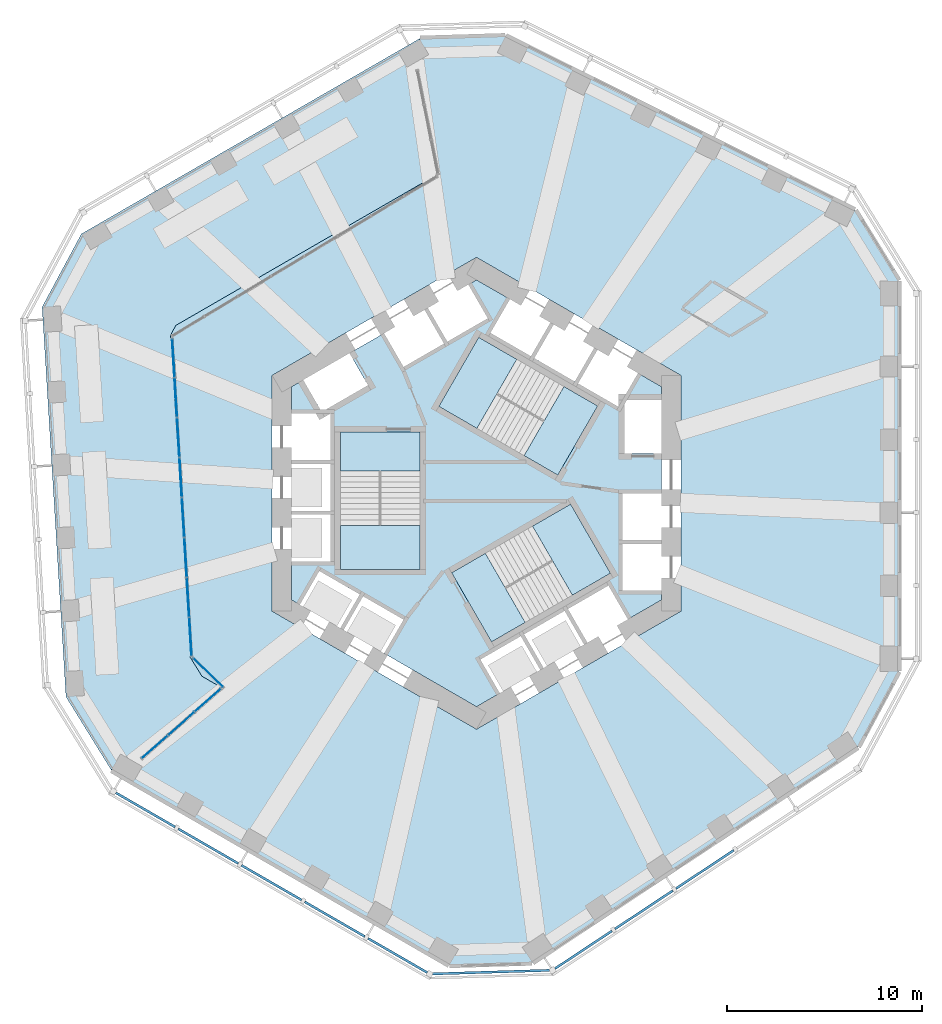
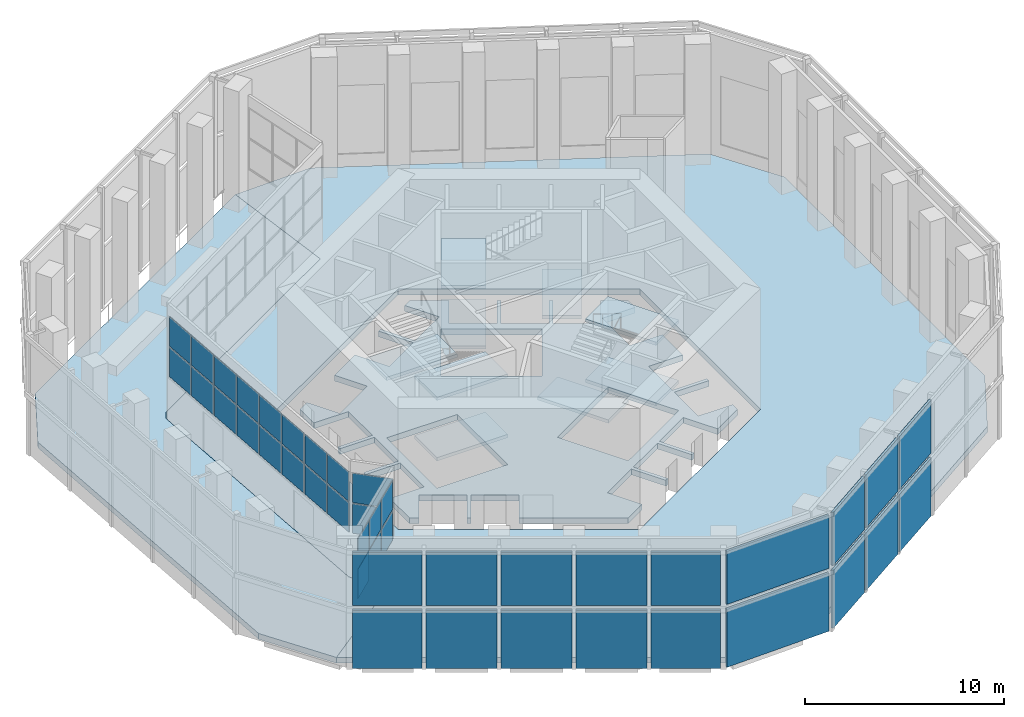
# One storey, part 8 of 19: 42 plates, 12 slabs, 9 elements without a shape of their own.
"""IFC4 building model written with IfcOpenShell, lengths in metres."""

from ifc_helpers import new_model, si_unit, direction, frame, origin, origin_2d, place, context, subcontext, project, spatial, polyline, rectangle, outline, extrude, material, layer, layer_set, type_object, element, aggregate, save


model = new_model("IFC4")

# Units and contexts
model_context = context("Model", 3, precision=1e-05, world=origin(), true_north=direction((0.0, 1.0)))
body_context = subcontext(model_context, "Body", "Model", "MODEL_VIEW")
ifc_project = project(units=[si_unit("LENGTHUNIT", "METRE"), si_unit("AREAUNIT", "SQUARE_METRE"), si_unit("VOLUMEUNIT", "CUBIC_METRE"), si_unit("PLANEANGLEUNIT", "RADIAN"), si_unit("MASSUNIT", "GRAM", prefix="KILO")], contexts=[model_context])

# Site, building, storey
site_placement = place(None, origin())
site = spatial("IfcSite", under=ifc_project, at=site_placement, CompositionType="ELEMENT")
building_placement = place(site_placement, origin())
building = spatial("IfcBuilding", under=site, at=building_placement, Name="Vanh Sen Convention Tower", CompositionType="ELEMENT")
storey_placement = place(building_placement, frame((0.0, 0.0, 139.199951171875)))
storey = spatial("IfcBuildingStorey", under=building, at=storey_placement, Name="L34", CompositionType="ELEMENT", Elevation=139.199951171875)

# Slabs
ifc_material_1 = material(Name="Concrete C40/50", Category="concrete")
ifc_layer_1 = layer(ifc_material_1, 0.35009765625)
ifc_layer_set_1 = layer_set([ifc_layer_1], Name="Concrete C40/50")
slab_type_1 = type_object("IfcSlabType", Name="Core slab 350", PredefinedType="FLOOR", material=ifc_layer_set_1)
slab_1_placement = place(storey_placement, frame((0.0, 0.0, -0.349853515625)))
element("IfcSlab", 1, at=slab_1_placement, inside=storey, type_object=slab_type_1, Name="Core slab L34", PredefinedType="FLOOR", context=body_context, shape_type="SweptSolid", body=[
    extrude(outline(polyline([(9.5, 5.48486328125), (9.5, 4.800048828125), (7.60009765625, 4.800048828125), (7.60009765625, 2.050048828125), (9.5, 2.050048828125), (9.5, 0.0), (7.5, 0.0), (7.5, -2.39990234375), (9.5, -2.39990234375), (9.5, -2.60009765625), (7.5, -2.60009765625), (7.5, -5.0), (9.5, -5.0), (9.5, -5.48486328125), (7.781005859375, -6.477294921875), (6.781005859375, -4.7451171875), (4.70263671875, -5.9453125), (5.70263671875, -7.67724609375), (5.529296875, -7.777099609375), (4.529296875, -6.045166015625), (2.450927734375, -7.2451171875), (3.450927734375, -8.977294921875), (3.27783203125, -9.0771484375), (2.27783203125, -7.34521484375), (0.19921875, -8.545166015625), (1.19921875, -10.277099609375), (0.0, -10.9697265625), (-4.75, -8.227294921875), (-3.75, -6.4951171875), (-5.82861328125, -5.295166015625), (-6.82861328125, -7.027099609375), (-7.001708984375, -6.92724609375), (-6.001708984375, -5.1953125), (-8.080078125, -3.9951171875), (-9.080078125, -5.727294921875), (-9.5, -5.48486328125), (-9.5, -3.5), (-7.5, -3.5), (-7.5, -1.10009765625), (-9.5, -1.10009765625), (-9.5, -0.89990234375), (-7.5, -0.89990234375), (-7.5, 1.5), (-9.5, 1.5), (-9.5, 1.699951171875), (-7.5, 1.699951171875), (-7.5, 4.10009765625), (-9.5, 4.10009765625), (-9.5, 5.48486328125), (-8.906982421875, 5.8271484375), (-7.956787109375, 4.181884765625), (-5.575439453125, 5.556884765625), (-6.525390625, 7.2021484375), (-4.75, 8.227294921875), (-3.75, 6.4951171875), (-1.67138671875, 7.6953125), (-2.67138671875, 9.42724609375), (-2.498291015625, 9.527099609375), (-1.498291015625, 7.795166015625), (0.580078125, 8.9951171875), (-0.419921875, 10.727294921875), (0.0, 10.9697265625), (1.718994140625, 9.977294921875), (0.718994140625, 8.2451171875), (2.79736328125, 7.045166015625), (3.79736328125, 8.777099609375), (3.970703125, 8.67724609375), (2.970703125, 6.9453125), (5.049072265625, 5.7451171875), (6.049072265625, 7.477294921875), (6.22216796875, 7.377197265625), (5.22216796875, 5.645263671875), (7.30078125, 4.4453125), (8.30078125, 6.17724609375), (9.5, 5.48486328125)]), holes=[polyline([(-7.0, -3.909912109375), (-2.89990234375, -3.909912109375), (-2.89990234375, 1.1494140625), (-7.0, 1.1494140625), (-7.0, -3.909912109375)]), polyline([(2.504638671875, -6.63671875), (6.88623046875, -4.107177734375), (4.836181640625, -0.556396484375), (0.45458984375, -3.086181640625), (2.504638671875, -6.63671875)]), polyline([(0.11376953125, 8.01708984375), (-1.936279296875, 4.466552734375), (2.4453125, 1.936767578125), (4.495361328125, 5.487548828125), (0.11376953125, 8.01708984375)])]), origin(), (0.0, 0.0, 1.0), 0.349853515625),
])
ifc_layer_2 = layer(ifc_material_1, 0.35009765625)
ifc_layer_set_2 = layer_set([ifc_layer_2], Name="Concrete C40/50")
slab_type_2 = type_object("IfcSlabType", Name="Floor slab 350, compartment floor REI 180", PredefinedType="FLOOR", material=ifc_layer_set_2)
slab_2_placement = place(storey_placement, frame((0.0, 0.0, -0.349853515625)))
element("IfcSlab", 2, at=slab_2_placement, inside=storey, type_object=slab_type_2, Name="Floor slab L34 interior", PredefinedType="FLOOR", context=body_context, shape_type="SweptSolid", body=[
    extrude(outline(polyline([(-2.925048828125, 23.368408203125), (-2.925048828125, 23.368408203125), (-2.048828125, 16.36865234375), (-15.455810546875, 8.628173828125), (-15.725341796875, 8.126220703125), (-14.712890625, -8.42919921875), (-14.1083984375, -9.406005859375), (-13.151123046875, -9.95849609375), (-18.77490234375, -14.21728515625), (-18.77490234375, -14.21728515625), (-1.393310546875, -24.25244140625), (2.871337890625, -24.122314453125), (19.60791015625, -13.04443359375), (21.699951171875, -9.15087890625), (21.699951171875, 10.91943359375), (19.454833984375, 14.5478515625), (1.492919921875, 23.503173828125), (-2.925048828125, 23.368408203125)]), holes=[polyline([(0.0, 12.12451171875), (-10.5, 6.062255859375), (-10.5, -6.062255859375), (0.0, -12.12451171875), (10.5, -6.062255859375), (10.5, 6.062255859375), (0.0, 12.12451171875)])]), origin(), (0.0, 0.0, 1.0), 0.349853515625),
])

# Curtain wall, plates
ifc_material_2 = material(Name="Aluminium structural glazing system", Category="aluminium")
curtain_wall_type_1 = type_object("IfcCurtainWallType", Name="Sky garden structural glazing", PredefinedType="NOTDEFINED", material=ifc_material_2)
curtain_wall_1_placement = place(storey_placement, origin())
curtain_wall_1 = element("IfcCurtainWall", 3, at=curtain_wall_1_placement, inside=storey, type_object=curtain_wall_type_1, Name="Winter garden glazing 1 L34", PredefinedType="NOTDEFINED")
ifc_material_3 = material(Name="Clear toughened safety glass", Category="glass")
ifc_layer_3 = layer(ifc_material_3, 0.035888671875)
ifc_layer_set_3 = layer_set([ifc_layer_3], Name="Clear toughened safety glass")
plate_type_1 = type_object("IfcPlateType", Name="Garden glazing clear glass panel 36", PredefinedType="CURTAIN_PANEL", material=ifc_layer_set_3)
plate_1_placement = place(storey_placement, frame((-16.537109375, -13.0380859375, 2.669921875), z_axis=(0.0, 0.0, 1.0), x_axis=(0.750695862197, 0.660647956539, 0.0)))
plate_1 = element("IfcPlate", 4, at=plate_1_placement, type_object=plate_type_1, Name="CW5 panel 1.1", PredefinedType="CURTAIN_PANEL", context=body_context, shape_type="SweptSolid", body=[
    extrude(rectangle(XDim=1.730224609375, YDim=0.035888671875, at=origin_2d()), origin(), (0.0, 0.0, 1.0), 1.804931640625),
])
plate_2_placement = place(storey_placement, frame((-16.537109375, -13.0380859375, 4.544921875), z_axis=(0.0, 0.0, 1.0), x_axis=(0.750695862197, 0.660647956539, 0.0)))
plate_2 = element("IfcPlate", 5, at=plate_2_placement, type_object=plate_type_1, Name="CW5 panel 1.2", PredefinedType="CURTAIN_PANEL", context=body_context, shape_type="SweptSolid", body=[
    extrude(rectangle(XDim=1.730224609375, YDim=0.035888671875, at=origin_2d()), origin(), (0.0, 0.0, 1.0), 1.804931640625),
])
plate_3_placement = place(storey_placement, frame((-15.172607421875, -11.837158203125, 2.669921875), z_axis=(0.0, 0.0, 1.0), x_axis=(0.750695862197, 0.660647956539, 0.0)))
plate_3 = element("IfcPlate", 6, at=plate_3_placement, type_object=plate_type_1, Name="CW5 panel 2.1", PredefinedType="CURTAIN_PANEL", context=body_context, shape_type="SweptSolid", body=[
    extrude(rectangle(XDim=1.765380859375, YDim=0.035888671875, at=origin_2d()), origin(), (0.0, 0.0, 1.0), 1.804931640625),
])
plate_4_placement = place(storey_placement, frame((-15.172607421875, -11.837158203125, 4.544921875), z_axis=(0.0, 0.0, 1.0), x_axis=(0.750695862197, 0.660647956539, 0.0)))
plate_4 = element("IfcPlate", 7, at=plate_4_placement, type_object=plate_type_1, Name="CW5 panel 2.2", PredefinedType="CURTAIN_PANEL", context=body_context, shape_type="SweptSolid", body=[
    extrude(rectangle(XDim=1.765380859375, YDim=0.035888671875, at=origin_2d()), origin(), (0.0, 0.0, 1.0), 1.804931640625),
])
plate_5_placement = place(storey_placement, frame((-13.807861328125, -10.63623046875, 2.669921875), z_axis=(0.0, 0.0, 1.0), x_axis=(0.750695862197, 0.660647956539, 0.0)))
plate_5 = element("IfcPlate", 8, at=plate_5_placement, type_object=plate_type_1, Name="CW5 panel 3.1", PredefinedType="CURTAIN_PANEL", context=body_context, shape_type="SweptSolid", body=[
    extrude(rectangle(XDim=1.730224609375, YDim=0.035888671875, at=origin_2d()), origin(), (0.0, 0.0, 1.0), 1.804931640625),
])
plate_6_placement = place(storey_placement, frame((-13.807861328125, -10.63623046875, 4.544921875), z_axis=(0.0, 0.0, 1.0), x_axis=(0.750695862197, 0.660647956539, 0.0)))
plate_6 = element("IfcPlate", 9, at=plate_6_placement, type_object=plate_type_1, Name="CW5 panel 3.2", PredefinedType="CURTAIN_PANEL", context=body_context, shape_type="SweptSolid", body=[
    extrude(rectangle(XDim=1.730224609375, YDim=0.035888671875, at=origin_2d()), origin(), (0.0, 0.0, 1.0), 1.804931640625),
])
aggregate(curtain_wall_1, [plate_1, plate_2, plate_3, plate_4, plate_5, plate_6])

curtain_wall_2_placement = place(storey_placement, origin())
curtain_wall_2 = element("IfcCurtainWall", 10, at=curtain_wall_2_placement, inside=storey, type_object=curtain_wall_type_1, Name="Winter garden glazing 2 L34", PredefinedType="NOTDEFINED")
plate_7_placement = place(storey_placement, frame((-13.790283203125, -9.227783203125, 2.669921875), z_axis=(0.0, 0.0, 1.0), x_axis=(-0.714469902919, 0.699666175989, 0.0)))
plate_7 = element("IfcPlate", 11, at=plate_7_placement, type_object=plate_type_1, Name="CW5 panel 1.1", PredefinedType="CURTAIN_PANEL", context=body_context, shape_type="SweptSolid", body=[
    extrude(rectangle(XDim=2.095947265625, YDim=0.035888671875, at=origin_2d()), origin(), (0.0, 0.0, 1.0), 1.804931640625),
])
plate_8_placement = place(storey_placement, frame((-13.790283203125, -9.227783203125, 4.544921875), z_axis=(0.0, 0.0, 1.0), x_axis=(-0.714469902919, 0.699666175989, 0.0)))
plate_8 = element("IfcPlate", 12, at=plate_8_placement, type_object=plate_type_1, Name="CW5 panel 1.2", PredefinedType="CURTAIN_PANEL", context=body_context, shape_type="SweptSolid", body=[
    extrude(rectangle(XDim=2.095947265625, YDim=0.035888671875, at=origin_2d()), origin(), (0.0, 0.0, 1.0), 1.804931640625),
])
aggregate(curtain_wall_2, [plate_7, plate_8])

curtain_wall_3_placement = place(storey_placement, origin())
curtain_wall_3 = element("IfcCurtainWall", 13, at=curtain_wall_3_placement, inside=storey, type_object=curtain_wall_type_1, Name="Winter garden glazing 3 L34", PredefinedType="NOTDEFINED")
plate_9_placement = place(storey_placement, frame((-14.701904296875, -7.380859375, 2.669921875), z_axis=(0.0, 0.0, 1.0), x_axis=(-0.061046909267, 0.998134898132, 0.0)))
plate_9 = element("IfcPlate", 14, at=plate_9_placement, type_object=plate_type_1, Name="CW5 panel 1.1", PredefinedType="CURTAIN_PANEL", context=body_context, shape_type="SweptSolid", body=[
    extrude(rectangle(XDim=1.951416015625, YDim=0.035888671875, at=origin_2d()), origin(), (0.0, 0.0, 1.0), 1.804931640625),
])
plate_10_placement = place(storey_placement, frame((-14.701904296875, -7.380859375, 4.544921875), z_axis=(0.0, 0.0, 1.0), x_axis=(-0.061046909267, 0.998134898132, 0.0)))
plate_10 = element("IfcPlate", 15, at=plate_10_placement, type_object=plate_type_1, Name="CW5 panel 1.2", PredefinedType="CURTAIN_PANEL", context=body_context, shape_type="SweptSolid", body=[
    extrude(rectangle(XDim=1.951416015625, YDim=0.035888671875, at=origin_2d()), origin(), (0.0, 0.0, 1.0), 1.804931640625),
])
plate_11_placement = place(storey_placement, frame((-14.826416015625, -5.345703125, 2.669921875), z_axis=(0.0, 0.0, 1.0), x_axis=(-0.061046909267, 0.998134898132, 0.0)))
plate_11 = element("IfcPlate", 16, at=plate_11_placement, type_object=plate_type_1, Name="CW5 panel 2.1", PredefinedType="CURTAIN_PANEL", context=body_context, shape_type="SweptSolid", body=[
    extrude(rectangle(XDim=1.986328125, YDim=0.035888671875, at=origin_2d()), origin(), (0.0, 0.0, 1.0), 1.804931640625),
])
plate_12_placement = place(storey_placement, frame((-14.826416015625, -5.345703125, 4.544921875), z_axis=(0.0, 0.0, 1.0), x_axis=(-0.061046909267, 0.998134898132, 0.0)))
plate_12 = element("IfcPlate", 17, at=plate_12_placement, type_object=plate_type_1, Name="CW5 panel 2.2", PredefinedType="CURTAIN_PANEL", context=body_context, shape_type="SweptSolid", body=[
    extrude(rectangle(XDim=1.986328125, YDim=0.035888671875, at=origin_2d()), origin(), (0.0, 0.0, 1.0), 1.804931640625),
])
plate_13_placement = place(storey_placement, frame((-14.951904296875, -3.293212890625, 2.669921875), z_axis=(0.0, 0.0, 1.0), x_axis=(-0.061046909267, 0.998134898132, 0.0)))
plate_13 = element("IfcPlate", 18, at=plate_13_placement, type_object=plate_type_1, Name="CW5 panel 3.1", PredefinedType="CURTAIN_PANEL", context=body_context, shape_type="SweptSolid", body=[
    extrude(rectangle(XDim=1.986328125, YDim=0.035888671875, at=origin_2d()), origin(), (0.0, 0.0, 1.0), 1.804931640625),
])
plate_14_placement = place(storey_placement, frame((-14.951904296875, -3.293212890625, 4.544921875), z_axis=(0.0, 0.0, 1.0), x_axis=(-0.061046909267, 0.998134898132, 0.0)))
plate_14 = element("IfcPlate", 19, at=plate_14_placement, type_object=plate_type_1, Name="CW5 panel 3.2", PredefinedType="CURTAIN_PANEL", context=body_context, shape_type="SweptSolid", body=[
    extrude(rectangle(XDim=1.986328125, YDim=0.035888671875, at=origin_2d()), origin(), (0.0, 0.0, 1.0), 1.804931640625),
])
plate_15_placement = place(storey_placement, frame((-15.077392578125, -1.240478515625, 2.669921875), z_axis=(0.0, 0.0, 1.0), x_axis=(-0.061046909267, 0.998134898132, 0.0)))
plate_15 = element("IfcPlate", 20, at=plate_15_placement, type_object=plate_type_1, Name="CW5 panel 4.1", PredefinedType="CURTAIN_PANEL", context=body_context, shape_type="SweptSolid", body=[
    extrude(rectangle(XDim=1.986328125, YDim=0.035888671875, at=origin_2d()), origin(), (0.0, 0.0, 1.0), 1.804931640625),
])
plate_16_placement = place(storey_placement, frame((-15.077392578125, -1.240478515625, 4.544921875), z_axis=(0.0, 0.0, 1.0), x_axis=(-0.061046909267, 0.998134898132, 0.0)))
plate_16 = element("IfcPlate", 21, at=plate_16_placement, type_object=plate_type_1, Name="CW5 panel 4.2", PredefinedType="CURTAIN_PANEL", context=body_context, shape_type="SweptSolid", body=[
    extrude(rectangle(XDim=1.986328125, YDim=0.035888671875, at=origin_2d()), origin(), (0.0, 0.0, 1.0), 1.804931640625),
])
plate_17_placement = place(storey_placement, frame((-15.202880859375, 0.81201171875, 2.669921875), z_axis=(0.0, 0.0, 1.0), x_axis=(-0.061046909267, 0.998134898132, 0.0)))
plate_17 = element("IfcPlate", 22, at=plate_17_placement, type_object=plate_type_1, Name="CW5 panel 5.1", PredefinedType="CURTAIN_PANEL", context=body_context, shape_type="SweptSolid", body=[
    extrude(rectangle(XDim=1.986328125, YDim=0.035888671875, at=origin_2d()), origin(), (0.0, 0.0, 1.0), 1.804931640625),
])
plate_18_placement = place(storey_placement, frame((-15.202880859375, 0.81201171875, 4.544921875), z_axis=(0.0, 0.0, 1.0), x_axis=(-0.061046909267, 0.998134898132, 0.0)))
plate_18 = element("IfcPlate", 23, at=plate_18_placement, type_object=plate_type_1, Name="CW5 panel 5.2", PredefinedType="CURTAIN_PANEL", context=body_context, shape_type="SweptSolid", body=[
    extrude(rectangle(XDim=1.986328125, YDim=0.035888671875, at=origin_2d()), origin(), (0.0, 0.0, 1.0), 1.804931640625),
])
plate_19_placement = place(storey_placement, frame((-15.328369140625, 2.864501953125, 2.669921875), z_axis=(0.0, 0.0, 1.0), x_axis=(-0.061046909267, 0.998134898132, 0.0)))
plate_19 = element("IfcPlate", 24, at=plate_19_placement, type_object=plate_type_1, Name="CW5 panel 6.1", PredefinedType="CURTAIN_PANEL", context=body_context, shape_type="SweptSolid", body=[
    extrude(rectangle(XDim=1.986328125, YDim=0.035888671875, at=origin_2d()), origin(), (0.0, 0.0, 1.0), 1.804931640625),
])
plate_20_placement = place(storey_placement, frame((-15.328369140625, 2.864501953125, 4.544921875), z_axis=(0.0, 0.0, 1.0), x_axis=(-0.061046909267, 0.998134898132, 0.0)))
plate_20 = element("IfcPlate", 25, at=plate_20_placement, type_object=plate_type_1, Name="CW5 panel 6.2", PredefinedType="CURTAIN_PANEL", context=body_context, shape_type="SweptSolid", body=[
    extrude(rectangle(XDim=1.986328125, YDim=0.035888671875, at=origin_2d()), origin(), (0.0, 0.0, 1.0), 1.804931640625),
])
plate_21_placement = place(storey_placement, frame((-15.4541015625, 4.917236328125, 2.669921875), z_axis=(0.0, 0.0, 1.0), x_axis=(-0.061046909267, 0.998134898132, 0.0)))
plate_21 = element("IfcPlate", 26, at=plate_21_placement, type_object=plate_type_1, Name="CW5 panel 7.1", PredefinedType="CURTAIN_PANEL", context=body_context, shape_type="SweptSolid", body=[
    extrude(rectangle(XDim=1.986328125, YDim=0.035888671875, at=origin_2d()), origin(), (0.0, 0.0, 1.0), 1.804931640625),
])
plate_22_placement = place(storey_placement, frame((-15.4541015625, 4.917236328125, 4.544921875), z_axis=(0.0, 0.0, 1.0), x_axis=(-0.061046909267, 0.998134898132, 0.0)))
plate_22 = element("IfcPlate", 27, at=plate_22_placement, type_object=plate_type_1, Name="CW5 panel 7.2", PredefinedType="CURTAIN_PANEL", context=body_context, shape_type="SweptSolid", body=[
    extrude(rectangle(XDim=1.986328125, YDim=0.035888671875, at=origin_2d()), origin(), (0.0, 0.0, 1.0), 1.804931640625),
])
plate_23_placement = place(storey_placement, frame((-15.578369140625, 6.9521484375, 2.669921875), z_axis=(0.0, 0.0, 1.0), x_axis=(-0.061046909267, 0.998134898132, 0.0)))
plate_23 = element("IfcPlate", 28, at=plate_23_placement, type_object=plate_type_1, Name="CW5 panel 8.1", PredefinedType="CURTAIN_PANEL", context=body_context, shape_type="SweptSolid", body=[
    extrude(rectangle(XDim=1.951416015625, YDim=0.035888671875, at=origin_2d()), origin(), (0.0, 0.0, 1.0), 1.804931640625),
])
plate_24_placement = place(storey_placement, frame((-15.578369140625, 6.9521484375, 4.544921875), z_axis=(0.0, 0.0, 1.0), x_axis=(-0.061046909267, 0.998134898132, 0.0)))
plate_24 = element("IfcPlate", 29, at=plate_24_placement, type_object=plate_type_1, Name="CW5 panel 8.2", PredefinedType="CURTAIN_PANEL", context=body_context, shape_type="SweptSolid", body=[
    extrude(rectangle(XDim=1.951416015625, YDim=0.035888671875, at=origin_2d()), origin(), (0.0, 0.0, 1.0), 1.804931640625),
])
aggregate(curtain_wall_3, [plate_9, plate_10, plate_11, plate_12, plate_13, plate_14, plate_15, plate_16, plate_17, plate_18, plate_19, plate_20, plate_21, plate_22, plate_23, plate_24])

ifc_material_4 = material(Name="Concrete C50/60", Category="concrete")
curtain_wall_type_2 = type_object("IfcCurtainWallType", Name="Outer skin office zone", PredefinedType="NOTDEFINED", material=ifc_material_4)
curtain_wall_4_placement = place(storey_placement, origin())
curtain_wall_4 = element("IfcCurtainWall", 30, at=curtain_wall_4_placement, inside=storey, type_object=curtain_wall_type_2, Name="OUTER SKIN SW L34", PredefinedType="NOTDEFINED")
ifc_layer_4 = layer(ifc_material_4, 0.1201171875)
ifc_layer_set_4 = layer_set([ifc_layer_4], Name="Concrete C50/60")
plate_type_2 = type_object("IfcPlateType", Name="Outer skin precast screen panel 120", PredefinedType="CURTAIN_PANEL", material=ifc_layer_set_4)
plate_25_placement = place(storey_placement, frame((-17.014892578125, -16.272705078125, 0.0), z_axis=(0.0, 0.0, 1.0), x_axis=(0.86602365845, -0.500003022996, 0.0)))
plate_25 = element("IfcPlate", 31, at=plate_25_placement, type_object=plate_type_2, Name="OUTER SKIN screen panel SW-1", PredefinedType="CURTAIN_PANEL", context=body_context, shape_type="SweptSolid", body=[
    extrude(rectangle(XDim=3.504150390625, YDim=0.1201171875, at=origin_2d()), origin(), (0.0, 0.0, 1.0), 3.550048828125),
])
plate_26_placement = place(storey_placement, frame((-17.014892578125, -16.272705078125, 3.85009765625), z_axis=(0.0, 0.0, 1.0), x_axis=(0.86602365845, -0.500003022996, 0.0)))
plate_26 = element("IfcPlate", 32, at=plate_26_placement, type_object=plate_type_2, Name="OUTER SKIN screen panel SW-1", PredefinedType="CURTAIN_PANEL", context=body_context, shape_type="SweptSolid", body=[
    extrude(rectangle(XDim=3.504150390625, YDim=0.1201171875, at=origin_2d()), origin(), (0.0, 0.0, 1.0), 3.25),
])
plate_27_placement = place(storey_placement, frame((-13.785400390625, -18.13720703125, 0.0), z_axis=(0.0, 0.0, 1.0), x_axis=(0.866028021766, -0.499995465495, 0.0)))
plate_27 = element("IfcPlate", 33, at=plate_27_placement, type_object=plate_type_2, Name="OUTER SKIN screen panel SW-2", PredefinedType="CURTAIN_PANEL", context=body_context, shape_type="SweptSolid", body=[
    extrude(rectangle(XDim=3.553955078125, YDim=0.1201171875, at=origin_2d()), origin(), (0.0, 0.0, 1.0), 3.550048828125),
])
plate_28_placement = place(storey_placement, frame((-13.785400390625, -18.13720703125, 3.85009765625), z_axis=(0.0, 0.0, 1.0), x_axis=(0.866028021766, -0.499995465495, 0.0)))
plate_28 = element("IfcPlate", 34, at=plate_28_placement, type_object=plate_type_2, Name="OUTER SKIN screen panel SW-2", PredefinedType="CURTAIN_PANEL", context=body_context, shape_type="SweptSolid", body=[
    extrude(rectangle(XDim=3.553955078125, YDim=0.1201171875, at=origin_2d()), origin(), (0.0, 0.0, 1.0), 3.25),
])
plate_29_placement = place(storey_placement, frame((-10.5341796875, -20.014404296875, 0.0), z_axis=(0.0, 0.0, 1.0), x_axis=(0.86602365845, -0.500003022996, 0.0)))
plate_29 = element("IfcPlate", 35, at=plate_29_placement, type_object=plate_type_2, Name="OUTER SKIN screen panel SW-3", PredefinedType="CURTAIN_PANEL", context=body_context, shape_type="SweptSolid", body=[
    extrude(rectangle(XDim=3.55419921875, YDim=0.1201171875, at=origin_2d()), origin(), (0.0, 0.0, 1.0), 3.550048828125),
])
plate_30_placement = place(storey_placement, frame((-10.5341796875, -20.014404296875, 3.85009765625), z_axis=(0.0, 0.0, 1.0), x_axis=(0.86602365845, -0.500003022996, 0.0)))
plate_30 = element("IfcPlate", 36, at=plate_30_placement, type_object=plate_type_2, Name="OUTER SKIN screen panel SW-3", PredefinedType="CURTAIN_PANEL", context=body_context, shape_type="SweptSolid", body=[
    extrude(rectangle(XDim=3.55419921875, YDim=0.1201171875, at=origin_2d()), origin(), (0.0, 0.0, 1.0), 3.25),
])
plate_31_placement = place(storey_placement, frame((-7.283203125, -21.891357421875, 0.0), z_axis=(0.0, 0.0, 1.0), x_axis=(0.866016677006, -0.500015114919, 0.0)))
plate_31 = element("IfcPlate", 37, at=plate_31_placement, type_object=plate_type_2, Name="OUTER SKIN screen panel SW-4", PredefinedType="CURTAIN_PANEL", context=body_context, shape_type="SweptSolid", body=[
    extrude(rectangle(XDim=3.55419921875, YDim=0.1201171875, at=origin_2d()), origin(), (0.0, 0.0, 1.0), 3.550048828125),
])
plate_32_placement = place(storey_placement, frame((-7.283203125, -21.891357421875, 3.85009765625), z_axis=(0.0, 0.0, 1.0), x_axis=(0.866016677006, -0.500015114919, 0.0)))
plate_32 = element("IfcPlate", 38, at=plate_32_placement, type_object=plate_type_2, Name="OUTER SKIN screen panel SW-4", PredefinedType="CURTAIN_PANEL", context=body_context, shape_type="SweptSolid", body=[
    extrude(rectangle(XDim=3.55419921875, YDim=0.1201171875, at=origin_2d()), origin(), (0.0, 0.0, 1.0), 3.25),
])
plate_33_placement = place(storey_placement, frame((-4.0537109375, -23.755859375, 0.0), z_axis=(0.0, 0.0, 1.0), x_axis=(0.866035002936, -0.499983373414, 0.0)))
plate_33 = element("IfcPlate", 39, at=plate_33_placement, type_object=plate_type_2, Name="OUTER SKIN screen panel SW-5", PredefinedType="CURTAIN_PANEL", context=body_context, shape_type="SweptSolid", body=[
    extrude(rectangle(XDim=3.504150390625, YDim=0.1201171875, at=origin_2d()), origin(), (0.0, 0.0, 1.0), 3.550048828125),
])
plate_34_placement = place(storey_placement, frame((-4.0537109375, -23.755859375, 3.85009765625), z_axis=(0.0, 0.0, 1.0), x_axis=(0.866035002936, -0.499983373414, 0.0)))
plate_34 = element("IfcPlate", 40, at=plate_34_placement, type_object=plate_type_2, Name="OUTER SKIN screen panel SW-5", PredefinedType="CURTAIN_PANEL", context=body_context, shape_type="SweptSolid", body=[
    extrude(rectangle(XDim=3.504150390625, YDim=0.1201171875, at=origin_2d()), origin(), (0.0, 0.0, 1.0), 3.25),
])
aggregate(curtain_wall_4, [plate_25, plate_26, plate_27, plate_28, plate_29, plate_30, plate_31, plate_32, plate_33, plate_34])

curtain_wall_5_placement = place(storey_placement, origin())
curtain_wall_5 = element("IfcCurtainWall", 41, at=curtain_wall_5_placement, inside=storey, type_object=curtain_wall_type_2, Name="OUTER SKIN CH5 L34", PredefinedType="NOTDEFINED")
plate_35_placement = place(storey_placement, frame((0.751953125, -24.6103515625, 0.0), z_axis=(0.0, 0.0, 1.0), x_axis=(0.999533537535, 0.030540257725, 0.0)))
plate_35 = element("IfcPlate", 42, at=plate_35_placement, type_object=plate_type_2, Name="OUTER SKIN screen panel CH5-1", PredefinedType="CURTAIN_PANEL", context=body_context, shape_type="SweptSolid", body=[
    extrude(rectangle(XDim=6.019287109375, YDim=0.1201171875, at=origin_2d()), origin(), (0.0, 0.0, 1.0), 3.550048828125),
])
plate_36_placement = place(storey_placement, frame((0.751953125, -24.6103515625, 3.85009765625), z_axis=(0.0, 0.0, 1.0), x_axis=(0.999533537535, 0.030540257725, 0.0)))
plate_36 = element("IfcPlate", 43, at=plate_36_placement, type_object=plate_type_2, Name="OUTER SKIN screen panel CH5-1", PredefinedType="CURTAIN_PANEL", context=body_context, shape_type="SweptSolid", body=[
    extrude(rectangle(XDim=6.019287109375, YDim=0.1201171875, at=origin_2d()), origin(), (0.0, 0.0, 1.0), 3.25),
])
aggregate(curtain_wall_5, [plate_35, plate_36])

curtain_wall_6_placement = place(storey_placement, origin())
curtain_wall_6 = element("IfcCurtainWall", 44, at=curtain_wall_6_placement, inside=storey, type_object=curtain_wall_type_2, Name="OUTER SKIN SE L34", PredefinedType="NOTDEFINED")
plate_37_placement = place(storey_placement, frame((5.49609375, -23.464111328125, 0.0), z_axis=(0.0, 0.0, 1.0), x_axis=(0.833889675294, 0.551931163677, 0.0)))
plate_37 = element("IfcPlate", 45, at=plate_37_placement, type_object=plate_type_2, Name="OUTER SKIN screen panel SE-1", PredefinedType="CURTAIN_PANEL", context=body_context, shape_type="SweptSolid", body=[
    extrude(rectangle(XDim=3.504150390625, YDim=0.1201171875, at=origin_2d()), origin(), (0.0, 0.0, 1.0), 3.550048828125),
])
plate_38_placement = place(storey_placement, frame((5.49609375, -23.464111328125, 3.85009765625), z_axis=(0.0, 0.0, 1.0), x_axis=(0.833889675294, 0.551931163677, 0.0)))
plate_38 = element("IfcPlate", 46, at=plate_38_placement, type_object=plate_type_2, Name="OUTER SKIN screen panel SE-1", PredefinedType="CURTAIN_PANEL", context=body_context, shape_type="SweptSolid", body=[
    extrude(rectangle(XDim=3.504150390625, YDim=0.1201171875, at=origin_2d()), origin(), (0.0, 0.0, 1.0), 3.25),
])
plate_39_placement = place(storey_placement, frame((8.60595703125, -21.406005859375, 0.0), z_axis=(0.0, 0.0, 1.0), x_axis=(0.833889675294, 0.551931163677, 0.0)))
plate_39 = element("IfcPlate", 47, at=plate_39_placement, type_object=plate_type_2, Name="OUTER SKIN screen panel SE-2", PredefinedType="CURTAIN_PANEL", context=body_context, shape_type="SweptSolid", body=[
    extrude(rectangle(XDim=3.55419921875, YDim=0.1201171875, at=origin_2d()), origin(), (0.0, 0.0, 1.0), 3.550048828125),
])
plate_40_placement = place(storey_placement, frame((8.60595703125, -21.406005859375, 3.85009765625), z_axis=(0.0, 0.0, 1.0), x_axis=(0.833889675294, 0.551931163677, 0.0)))
plate_40 = element("IfcPlate", 48, at=plate_40_placement, type_object=plate_type_2, Name="OUTER SKIN screen panel SE-2", PredefinedType="CURTAIN_PANEL", context=body_context, shape_type="SweptSolid", body=[
    extrude(rectangle(XDim=3.55419921875, YDim=0.1201171875, at=origin_2d()), origin(), (0.0, 0.0, 1.0), 3.25),
])
plate_41_placement = place(storey_placement, frame((11.736328125, -19.333984375, 0.0), z_axis=(0.0, 0.0, 1.0), x_axis=(0.833877152158, 0.551950083892, 0.0)))
plate_41 = element("IfcPlate", 49, at=plate_41_placement, type_object=plate_type_2, Name="OUTER SKIN screen panel SE-3", PredefinedType="CURTAIN_PANEL", context=body_context, shape_type="SweptSolid", body=[
    extrude(rectangle(XDim=3.55419921875, YDim=0.1201171875, at=origin_2d()), origin(), (0.0, 0.0, 1.0), 3.550048828125),
])
plate_42_placement = place(storey_placement, frame((11.736328125, -19.333984375, 3.85009765625), z_axis=(0.0, 0.0, 1.0), x_axis=(0.833877152158, 0.551950083892, 0.0)))
plate_42 = element("IfcPlate", 50, at=plate_42_placement, type_object=plate_type_2, Name="OUTER SKIN screen panel SE-3", PredefinedType="CURTAIN_PANEL", context=body_context, shape_type="SweptSolid", body=[
    extrude(rectangle(XDim=3.55419921875, YDim=0.1201171875, at=origin_2d()), origin(), (0.0, 0.0, 1.0), 3.25),
])
aggregate(curtain_wall_6, [plate_37, plate_38, plate_39, plate_40, plate_41, plate_42])

# Stair, slabs
ifc_material_5 = material(Name="Concrete C50/60", Category="concrete")
stair_type_1 = type_object("IfcStairType", Name="Exit stair ST1 44 risers at 168.2", PredefinedType="HALF_TURN_STAIR", material=ifc_material_5)
stair_1_placement = place(storey_placement, origin())
stair_1 = element("IfcStair", 51, at=stair_1_placement, inside=storey, type_object=stair_type_1, Name="Exit stair ST1 L34", PredefinedType="HALF_TURN_STAIR")
ifc_layer_5 = layer(ifc_material_1, 0.199951171875)
ifc_layer_set_5 = layer_set([ifc_layer_5], Name="Concrete C40/50")
slab_type_3 = type_object("IfcSlabType", Name="Stair landing 200", PredefinedType="LANDING", material=ifc_layer_set_5)
slab_3_placement = place(storey_placement, frame((0.0, 0.0, 1.650146484375)))
slab_3 = element("IfcSlab", 52, at=slab_3_placement, type_object=slab_type_3, Name="ST1 landing 1", PredefinedType="LANDING", context=body_context, shape_type="SweptSolid", body=[
    extrude(outline(polyline([(2.07177734375, 6.88671875), (0.11376953125, 8.01708984375), (-1.936279296875, 4.466552734375), (0.021728515625, 3.336181640625), (2.07177734375, 6.88671875)])), origin(), (0.0, 0.0, 1.0), 0.199951171875),
])
slab_4_placement = place(storey_placement, frame((0.0, 0.0, 3.5)))
slab_4 = element("IfcSlab", 53, at=slab_4_placement, type_object=slab_type_3, Name="ST1 landing 2", PredefinedType="LANDING", context=body_context, shape_type="SweptSolid", body=[
    extrude(outline(polyline([(6.22802734375, 4.4873046875), (4.495361328125, 5.487548828125), (2.4453125, 1.936767578125), (4.177978515625, 0.9365234375), (6.22802734375, 4.4873046875)])), origin(), (0.0, 0.0, 1.0), 0.199951171875),
])
slab_5_placement = place(storey_placement, frame((0.0, 0.0, 5.35009765625)))
slab_5 = element("IfcSlab", 54, at=slab_5_placement, type_object=slab_type_3, Name="ST1 landing 3", PredefinedType="LANDING", context=body_context, shape_type="SweptSolid", body=[
    extrude(outline(polyline([(2.07177734375, 6.88671875), (0.11376953125, 8.01708984375), (-1.936279296875, 4.466552734375), (0.021728515625, 3.336181640625), (2.07177734375, 6.88671875)])), origin(), (0.0, 0.0, 1.0), 0.199951171875),
])
aggregate(stair_1, [slab_3, slab_4, slab_5])

stair_type_2 = type_object("IfcStairType", Name="Exit stair ST2 44 risers at 168.2", PredefinedType="HALF_TURN_STAIR", material=ifc_material_5)
stair_2_placement = place(storey_placement, origin())
stair_2 = element("IfcStair", 55, at=stair_2_placement, inside=storey, type_object=stair_type_2, Name="Exit stair ST2 L34", PredefinedType="HALF_TURN_STAIR")
slab_6_placement = place(storey_placement, frame((0.0, 0.0, 1.650146484375)))
slab_6 = element("IfcSlab", 56, at=slab_6_placement, type_object=slab_type_3, Name="ST2 landing 1", PredefinedType="LANDING", context=body_context, shape_type="SweptSolid", body=[
    extrude(outline(polyline([(-7.0, -1.6494140625), (-7.0, -3.909912109375), (-2.89990234375, -3.909912109375), (-2.89990234375, -1.6494140625), (-7.0, -1.6494140625)])), origin(), (0.0, 0.0, 1.0), 0.199951171875),
])
slab_7_placement = place(storey_placement, frame((0.0, 0.0, 3.5)))
slab_7 = element("IfcSlab", 57, at=slab_7_placement, type_object=slab_type_3, Name="ST2 landing 2", PredefinedType="LANDING", context=body_context, shape_type="SweptSolid", body=[
    extrude(outline(polyline([(-7.0, 3.14990234375), (-7.0, 1.1494140625), (-2.89990234375, 1.1494140625), (-2.89990234375, 3.14990234375), (-7.0, 3.14990234375)])), origin(), (0.0, 0.0, 1.0), 0.199951171875),
])
slab_8_placement = place(storey_placement, frame((0.0, 0.0, 5.35009765625)))
slab_8 = element("IfcSlab", 58, at=slab_8_placement, type_object=slab_type_3, Name="ST2 landing 3", PredefinedType="LANDING", context=body_context, shape_type="SweptSolid", body=[
    extrude(outline(polyline([(-7.0, -1.6494140625), (-7.0, -3.909912109375), (-2.89990234375, -3.909912109375), (-2.89990234375, -1.6494140625), (-7.0, -1.6494140625)])), origin(), (0.0, 0.0, 1.0), 0.199951171875),
])
aggregate(stair_2, [slab_6, slab_7, slab_8])

stair_type_3 = type_object("IfcStairType", Name="Exit stair ST3 44 risers at 168.2", PredefinedType="HALF_TURN_STAIR", material=ifc_material_5)
stair_3_placement = place(storey_placement, origin())
stair_3 = element("IfcStair", 59, at=stair_3_placement, inside=storey, type_object=stair_type_3, Name="Exit stair ST3 L34", PredefinedType="HALF_TURN_STAIR")
slab_9_placement = place(storey_placement, frame((0.0, 0.0, 1.650146484375)))
slab_9 = element("IfcSlab", 60, at=slab_9_placement, type_object=slab_type_3, Name="ST3 landing 1", PredefinedType="LANDING", context=body_context, shape_type="SweptSolid", body=[
    extrude(outline(polyline([(4.92822265625, -5.237548828125), (6.88623046875, -4.107177734375), (4.836181640625, -0.556396484375), (2.87841796875, -1.686767578125), (4.92822265625, -5.237548828125)])), origin(), (0.0, 0.0, 1.0), 0.199951171875),
])
slab_10_placement = place(storey_placement, frame((0.0, 0.0, 3.5)))
slab_10 = element("IfcSlab", 61, at=slab_10_placement, type_object=slab_type_3, Name="ST3 landing 2", PredefinedType="LANDING", context=body_context, shape_type="SweptSolid", body=[
    extrude(outline(polyline([(0.77197265625, -7.63720703125), (2.504638671875, -6.63671875), (0.45458984375, -3.086181640625), (-1.278076171875, -4.08642578125), (0.77197265625, -7.63720703125)])), origin(), (0.0, 0.0, 1.0), 0.199951171875),
])
slab_11_placement = place(storey_placement, frame((0.0, 0.0, 5.35009765625)))
slab_11 = element("IfcSlab", 62, at=slab_11_placement, type_object=slab_type_3, Name="ST3 landing 3", PredefinedType="LANDING", context=body_context, shape_type="SweptSolid", body=[
    extrude(outline(polyline([(4.92822265625, -5.237548828125), (6.88623046875, -4.107177734375), (4.836181640625, -0.556396484375), (2.87841796875, -1.686767578125), (4.92822265625, -5.237548828125)])), origin(), (0.0, 0.0, 1.0), 0.199951171875),
])
aggregate(stair_3, [slab_9, slab_10, slab_11])

# Slab
ifc_layer_6 = layer(ifc_material_1, 0.35009765625)
ifc_layer_set_6 = layer_set([ifc_layer_6], Name="Concrete C40/50")
slab_type_4 = type_object("IfcSlabType", Name="Terrace slab 350, compartment floor REI 180", PredefinedType="FLOOR", material=ifc_layer_set_6)
slab_12_placement = place(storey_placement, frame((0.0, 0.0, -0.349853515625)))
element("IfcSlab", 63, at=slab_12_placement, inside=storey, type_object=slab_type_4, Name="Sky garden terrace slab L34", PredefinedType="FLOOR", context=body_context, shape_type="SweptSolid", body=[
    extrude(outline(polyline([(-18.77490234375, -14.21728515625), (-13.151123046875, -9.95849609375), (-14.1083984375, -9.406005859375), (-14.712890625, -8.42919921875), (-15.725341796875, 8.126220703125), (-15.455810546875, 8.628173828125), (-2.048828125, 16.36865234375), (-2.925048828125, 23.368408203125), (-20.306640625, 13.3330078125), (-22.326171875, 9.574462890625), (-21.100830078125, -10.458740234375), (-18.77490234375, -14.21728515625), (-18.77490234375, -14.21728515625)])), origin(), (0.0, 0.0, 1.0), 0.349853515625),
])

save(model, "model.ifc")
